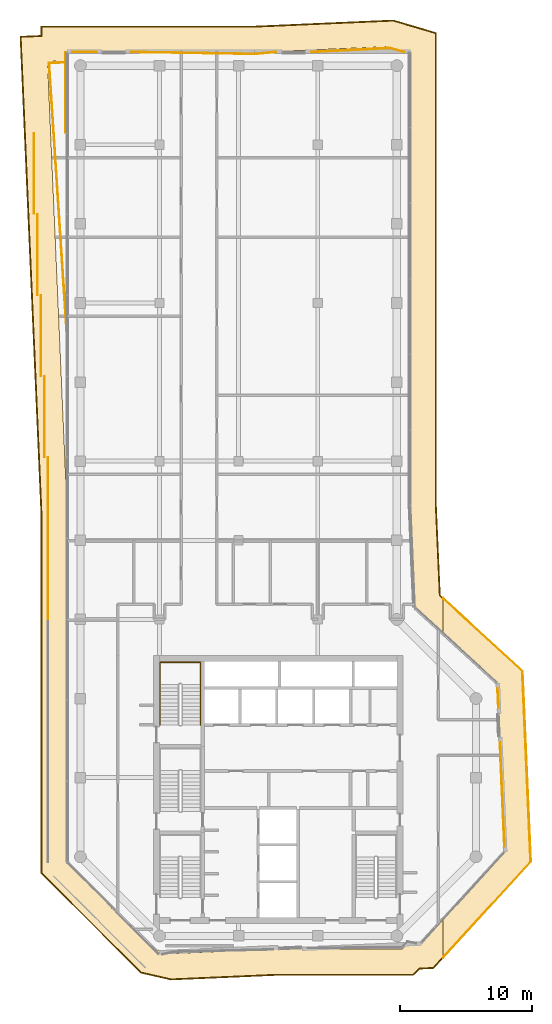
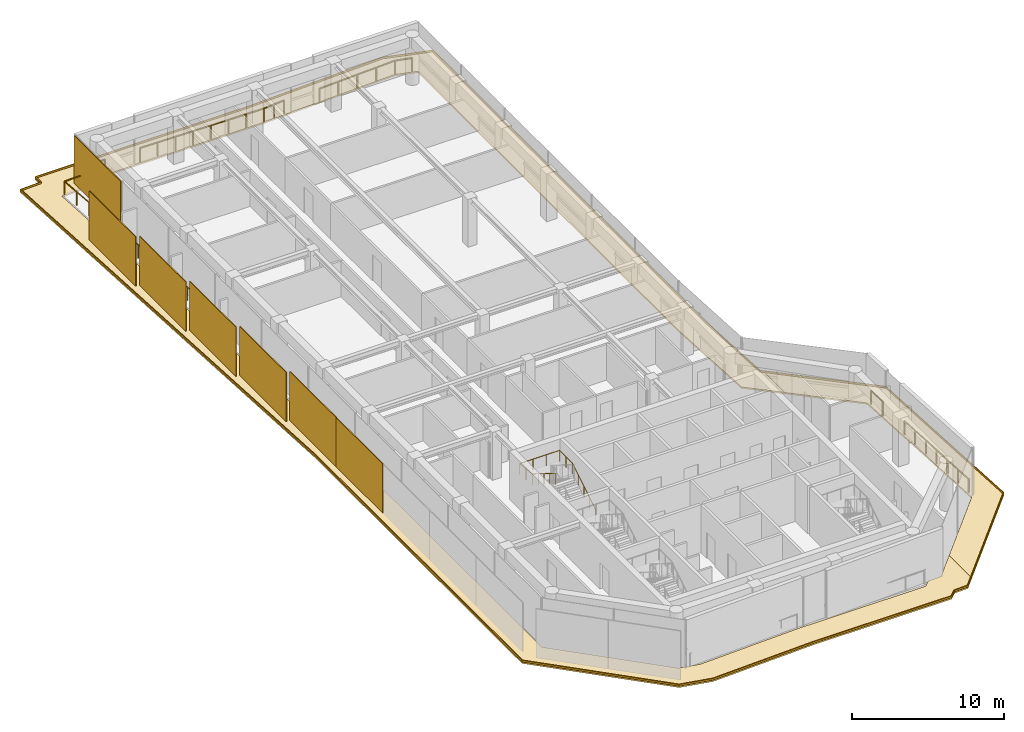
# One storey, part 21 of 21: 11 coverings, 7 railings.
"""IFC4 building model written with IfcOpenShell, lengths in metres."""

from ifc_helpers import new_model, si_unit, direction, frame, origin, origin_2d, place, context, subcontext, project, spatial, polyline, rectangle, circle, outline, extrude, material, layer, layer_set, type_object, element, save


model = new_model("IFC4")

# Units and contexts
model_context = context("Model", 3, precision=1e-05, world=origin(), true_north=direction((0.0, 1.0)))
body_context = subcontext(model_context, "Body", "Model", "MODEL_VIEW")
ifc_project = project(units=[si_unit("LENGTHUNIT", "METRE"), si_unit("AREAUNIT", "SQUARE_METRE"), si_unit("VOLUMEUNIT", "CUBIC_METRE"), si_unit("PLANEANGLEUNIT", "RADIAN"), si_unit("MASSUNIT", "GRAM", prefix="KILO")], contexts=[model_context])

# Site, building, storey
site_placement = place(None, origin())
site = spatial("IfcSite", under=ifc_project, at=site_placement, CompositionType="ELEMENT")
building_placement = place(site_placement, origin())
building = spatial("IfcBuilding", under=site, at=building_placement, Name="Welwitschia Terrace Campus", CompositionType="ELEMENT")
storey_placement = place(building_placement, frame((0.0, 0.0, 218.0)))
storey = spatial("IfcBuildingStorey", under=building, at=storey_placement, Name="L48", CompositionType="ELEMENT", Elevation=218.0)

# Coverings
ifc_material_1 = material(Name="Bronze mesh aluminium screen", Category="aluminium")
ifc_layer_1 = layer(ifc_material_1, 0.06005859375)
ifc_layer_set_1 = layer_set([ifc_layer_1], Name="Bronze mesh aluminium screen")
covering_type_1 = type_object("IfcCoveringType", Name="Bronze screen 60", PredefinedType="USERDEFINED", material=ifc_layer_set_1)
covering_1_placement = place(storey_placement, frame((-1.1201171875, 67.957275390625, 0.0), z_axis=(0.0, 0.0, 1.0), x_axis=(0.0, -1.0, 0.0)))
element("IfcCovering", 1, at=covering_1_placement, inside=storey, type_object=covering_type_1, Name="Screen L48.9.0", ObjectType="SCREEN", PredefinedType="USERDEFINED", context=body_context, shape_type="SweptSolid", body=[
    extrude(rectangle(XDim=6.125732421875, YDim=0.06005859375, at=origin_2d()), origin(), (0.0, 0.0, 1.0), 3.85009765625),
])
for number, where, z_axis, x_axis, name in (
    (2, (-3.523193359375, 61.8115234375, 0.0), (0.0, 0.0, 1.0), (0.0, -1.0, 0.0), "Screen L48.9.1"),
    (3, (-3.255126953125, 55.665771484375, 0.0), (0.0, 0.0, 1.0), (0.0, -1.0, 0.0), "Screen L48.9.2"),
    (4, (-2.987060546875, 49.520263671875, 0.0), (0.0, 0.0, 1.0), (0.0, -1.0, 0.0), "Screen L48.9.3"),
    (5, (-2.718994140625, 43.37451171875, 0.0), (0.0, 0.0, 1.0), (0.0, -1.0, 0.0), "Screen L48.9.4"),
    (6, (-2.450927734375, 37.228759765625, 0.0), (0.0, 0.0, 1.0), (0.0, -1.0, 0.0), "Screen L48.9.5"),
    (7, (-2.4599609375, 31.083251953125, 0.0), (0.0, 0.0, 1.0), (0.0, -1.0, 0.0), "Screen L48.9.6"),
):
    element("IfcCovering", number, at=place(storey_placement, frame(where, z_axis=z_axis, x_axis=x_axis)), inside=storey, type_object=covering_type_1, Name=name, ObjectType="SCREEN", PredefinedType="USERDEFINED", context=body_context, shape_type="SweptSolid", body=[
        extrude(rectangle(XDim=6.125732421875, YDim=0.06005859375, at=origin_2d()), origin(), (0.0, 0.0, 1.0), 3.949951171875),
    ])

# Railings
ifc_material_2 = material(Name="Stainless steel grade 316", Category="steel")
railing_type_1 = type_object("IfcRailingType", Name="Guard 1100", PredefinedType="GUARDRAIL", material=ifc_material_2)
railing_1_placement = place(storey_placement, frame((-1.030029296875, 49.806396484375, 0.0)))
element("IfcRailing", 8, at=railing_1_placement, inside=storey, type_object=railing_type_1, Name="Guard floor edge L48.0", PredefinedType="GUARDRAIL", context=body_context, shape_type="SweptSolid", body=[
    extrude(circle(Radius=0.02392578125, at=origin_2d()), frame((0.0, 0.0, 1.076171875), z_axis=(-0.065584171401, 0.997847040614, 0.0), x_axis=(-0.997847040614, -0.065584171401, 0.0)), (0.0, 0.0, 1.0), 20.436767578125),
    extrude(circle(Radius=0.02392578125, at=origin_2d()), frame((-1.34033203125, 20.392822265625, 1.076171875), z_axis=(0.999575586947, 0.029131528946, 0.0), x_axis=(-0.029131528946, 0.999575586947, 0.0)), (0.0, 0.0, 1.0), 1.3408203125),
    extrude(circle(Radius=0.02099609375, at=origin_2d()), origin(), (0.0, 0.0, 1.0), 1.052001953125),
    extrude(circle(Radius=0.02099609375, at=origin_2d()), frame((-0.095703125, 1.45654296875, 0.0)), (0.0, 0.0, 1.0), 1.052001953125),
    extrude(circle(Radius=0.02099609375, at=origin_2d()), frame((-0.19140625, 2.913330078125, 0.0)), (0.0, 0.0, 1.0), 1.052001953125),
    extrude(circle(Radius=0.02099609375, at=origin_2d()), frame((-0.287109375, 4.369873046875, 0.0)), (0.0, 0.0, 1.0), 1.052001953125),
    extrude(circle(Radius=0.02099609375, at=origin_2d()), frame((-0.383056640625, 5.826416015625, 0.0)), (0.0, 0.0, 1.0), 1.052001953125),
    extrude(circle(Radius=0.02099609375, at=origin_2d()), frame((-0.478759765625, 7.283203125, 0.0)), (0.0, 0.0, 1.0), 1.052001953125),
    extrude(circle(Radius=0.02099609375, at=origin_2d()), frame((-0.574462890625, 8.73974609375, 0.0)), (0.0, 0.0, 1.0), 1.052001953125),
    extrude(circle(Radius=0.02099609375, at=origin_2d()), frame((-0.670166015625, 10.1962890625, 0.0)), (0.0, 0.0, 1.0), 1.052001953125),
    extrude(circle(Radius=0.02099609375, at=origin_2d()), frame((-0.765869140625, 11.653076171875, 0.0)), (0.0, 0.0, 1.0), 1.052001953125),
    extrude(circle(Radius=0.02099609375, at=origin_2d()), frame((-0.861572265625, 13.109619140625, 0.0)), (0.0, 0.0, 1.0), 1.052001953125),
    extrude(circle(Radius=0.02099609375, at=origin_2d()), frame((-0.957275390625, 14.56640625, 0.0)), (0.0, 0.0, 1.0), 1.052001953125),
    extrude(circle(Radius=0.02099609375, at=origin_2d()), frame((-1.05322265625, 16.02294921875, 0.0)), (0.0, 0.0, 1.0), 1.052001953125),
    extrude(circle(Radius=0.02099609375, at=origin_2d()), frame((-1.14892578125, 17.4794921875, 0.0)), (0.0, 0.0, 1.0), 1.052001953125),
    extrude(circle(Radius=0.02099609375, at=origin_2d()), frame((-1.24462890625, 18.936279296875, 0.0)), (0.0, 0.0, 1.0), 1.052001953125),
    extrude(circle(Radius=0.02099609375, at=origin_2d()), frame((-1.34033203125, 20.392822265625, 0.0)), (0.0, 0.0, 1.0), 1.052001953125),
    extrude(circle(Radius=0.02099609375, at=origin_2d()), frame((0.0, 20.431884765625, 0.0)), (0.0, 0.0, 1.0), 1.052001953125),
])
railing_2_placement = place(storey_placement, frame((-0.580078125, 71.030029296875, 0.0)))
element("IfcRailing", 9, at=railing_2_placement, inside=storey, type_object=railing_type_1, Name="Guard floor edge L48.1", PredefinedType="GUARDRAIL", context=body_context, shape_type="SweptSolid", body=[
    extrude(circle(Radius=0.02392578125, at=origin_2d()), frame((0.0, 0.0, 1.076171875), z_axis=(1.0, 0.0, 0.0), x_axis=(0.0, 1.0, 0.0)), (0.0, 0.0, 1.0), 1.7880859375),
    extrude(circle(Radius=0.02099609375, at=origin_2d()), origin(), (0.0, 0.0, 1.0), 1.052001953125),
    extrude(circle(Radius=0.02099609375, at=origin_2d()), frame((0.89404296875, 0.0, 0.0)), (0.0, 0.0, 1.0), 1.052001953125),
    extrude(circle(Radius=0.02099609375, at=origin_2d()), frame((1.7880859375, 0.0, 0.0)), (0.0, 0.0, 1.0), 1.052001953125),
])
railing_3_placement = place(storey_placement, frame((3.85546875, 71.030029296875, 0.0)))
element("IfcRailing", 10, at=railing_3_placement, inside=storey, type_object=railing_type_1, Name="Guard floor edge L48.2", PredefinedType="GUARDRAIL", context=body_context, shape_type="SweptSolid", body=[
    extrude(circle(Radius=0.02392578125, at=origin_2d()), frame((0.0, 0.0, 1.076171875), z_axis=(0.999871500344, -0.016030683092, 0.0), x_axis=(0.016030683092, 0.999871500344, 0.0)), (0.0, 0.0, 1.0), 9.3662109375),
    extrude(circle(Radius=0.02392578125, at=origin_2d()), frame((9.364990234375, -0.150146484375, 1.076171875), z_axis=(0.995720334942, 0.092417609699, 0.0), x_axis=(-0.092417609699, 0.995720334942, 0.0)), (0.0, 0.0, 1.0), 1.614013671875),
    extrude(circle(Radius=0.02099609375, at=origin_2d()), origin(), (0.0, 0.0, 1.0), 1.052001953125),
    extrude(circle(Radius=0.02099609375, at=origin_2d()), frame((1.337890625, -0.021484375, 0.0)), (0.0, 0.0, 1.0), 1.052001953125),
    extrude(circle(Radius=0.02099609375, at=origin_2d()), frame((2.67578125, -0.04296875, 0.0)), (0.0, 0.0, 1.0), 1.052001953125),
    extrude(circle(Radius=0.02099609375, at=origin_2d()), frame((4.013671875, -0.064453125, 0.0)), (0.0, 0.0, 1.0), 1.052001953125),
    extrude(circle(Radius=0.02099609375, at=origin_2d()), frame((5.351318359375, -0.085693359375, 0.0)), (0.0, 0.0, 1.0), 1.052001953125),
    extrude(circle(Radius=0.02099609375, at=origin_2d()), frame((6.689208984375, -0.107177734375, 0.0)), (0.0, 0.0, 1.0), 1.052001953125),
    extrude(circle(Radius=0.02099609375, at=origin_2d()), frame((8.027099609375, -0.128662109375, 0.0)), (0.0, 0.0, 1.0), 1.052001953125),
    extrude(circle(Radius=0.02099609375, at=origin_2d()), frame((9.364990234375, -0.150146484375, 0.0)), (0.0, 0.0, 1.0), 1.052001953125),
    extrude(circle(Radius=0.02099609375, at=origin_2d()), frame((10.16845703125, -0.07568359375, 0.0)), (0.0, 0.0, 1.0), 1.052001953125),
    extrude(circle(Radius=0.02099609375, at=origin_2d()), frame((10.97216796875, -0.0009765625, 0.0)), (0.0, 0.0, 1.0), 1.052001953125),
])
railing_4_placement = place(storey_placement, frame((17.518310546875, 71.027099609375, 0.0)))
element("IfcRailing", 11, at=railing_4_placement, inside=storey, type_object=railing_type_1, Name="Guard floor edge L48.5", PredefinedType="GUARDRAIL", context=body_context, shape_type="SweptSolid", body=[
    extrude(circle(Radius=0.02392578125, at=origin_2d()), frame((0.0, 0.0, 1.076171875), z_axis=(0.9987274719, 0.050432498171, 0.0), x_axis=(-0.050432498171, 0.9987274719, 0.0)), (0.0, 0.0, 1.0), 5.954345703125),
    extrude(circle(Radius=0.02392578125, at=origin_2d()), frame((5.94677734375, 0.30029296875, 1.076171875), z_axis=(0.964632095565, -0.263599924516, 0.0), x_axis=(0.263599924516, 0.964632095565, 0.0)), (0.0, 0.0, 1.0), 1.15576171875),
    extrude(circle(Radius=0.02099609375, at=origin_2d()), origin(), (0.0, 0.0, 1.0), 1.052001953125),
    extrude(circle(Radius=0.02099609375, at=origin_2d()), frame((1.48681640625, 0.0751953125, 0.0)), (0.0, 0.0, 1.0), 1.052001953125),
    extrude(circle(Radius=0.02099609375, at=origin_2d()), frame((2.973388671875, 0.150146484375, 0.0)), (0.0, 0.0, 1.0), 1.052001953125),
    extrude(circle(Radius=0.02099609375, at=origin_2d()), frame((4.4599609375, 0.22509765625, 0.0)), (0.0, 0.0, 1.0), 1.052001953125),
    extrude(circle(Radius=0.02099609375, at=origin_2d()), frame((5.94677734375, 0.30029296875, 0.0)), (0.0, 0.0, 1.0), 1.052001953125),
    extrude(circle(Radius=0.02099609375, at=origin_2d()), frame((7.061767578125, -0.00439453125, 0.0)), (0.0, 0.0, 1.0), 1.052001953125),
])
railing_5_placement = place(storey_placement, frame((31.64111328125, 22.760498046875, 0.0)))
element("IfcRailing", 12, at=railing_5_placement, inside=storey, type_object=railing_type_1, Name="Guard floor edge L48.6", PredefinedType="GUARDRAIL", context=body_context, shape_type="SweptSolid", body=[
    extrude(circle(Radius=0.02392578125, at=origin_2d()), frame((0.0, 0.0, 1.076171875), z_axis=(0.043639613643, -0.999047338278, 0.0), x_axis=(0.999047338278, 0.043639613643, 0.0)), (0.0, 0.0, 1.0), 1.4658203125),
    extrude(circle(Radius=0.02099609375, at=origin_2d()), origin(), (0.0, 0.0, 1.0), 1.052001953125),
    extrude(circle(Radius=0.02099609375, at=origin_2d()), frame((0.06396484375, -1.46435546875, 0.0)), (0.0, 0.0, 1.0), 1.052001953125),
])
railing_6_placement = place(storey_placement, frame((31.82080078125, 18.651123046875, 0.0)))
element("IfcRailing", 13, at=railing_6_placement, inside=storey, type_object=railing_type_1, Name="Guard floor edge L48.7", PredefinedType="GUARDRAIL", context=body_context, shape_type="SweptSolid", body=[
    extrude(circle(Radius=0.02392578125, at=origin_2d()), frame((0.0, 0.0, 1.076171875), z_axis=(0.043584886083, -0.999049727343, 0.0), x_axis=(0.999049727343, 0.043584886083, 0.0)), (0.0, 0.0, 1.0), 7.892578125),
    extrude(circle(Radius=0.02099609375, at=origin_2d()), origin(), (0.0, 0.0, 1.0), 1.052001953125),
    extrude(circle(Radius=0.02099609375, at=origin_2d()), frame((0.057373046875, -1.314208984375, 0.0)), (0.0, 0.0, 1.0), 1.052001953125),
    extrude(circle(Radius=0.02099609375, at=origin_2d()), frame((0.11474609375, -2.62841796875, 0.0)), (0.0, 0.0, 1.0), 1.052001953125),
    extrude(circle(Radius=0.02099609375, at=origin_2d()), frame((0.171875, -3.9423828125, 0.0)), (0.0, 0.0, 1.0), 1.052001953125),
    extrude(circle(Radius=0.02099609375, at=origin_2d()), frame((0.229248046875, -5.256591796875, 0.0)), (0.0, 0.0, 1.0), 1.052001953125),
    extrude(circle(Radius=0.02099609375, at=origin_2d()), frame((0.28662109375, -6.57080078125, 0.0)), (0.0, 0.0, 1.0), 1.052001953125),
    extrude(circle(Radius=0.02099609375, at=origin_2d()), frame((0.343994140625, -7.885009765625, 0.0)), (0.0, 0.0, 1.0), 1.052001953125),
])
ifc_material_3 = material(Name="Steel S355", Category="steel")
railing_type_2 = type_object("IfcRailingType", Name="Stair handrail 900", PredefinedType="HANDRAIL", material=ifc_material_3)
railing_7_placement = place(storey_placement, frame((9.10009765625, 20.0, 0.175048828125)))
element("IfcRailing", 14, at=railing_7_placement, inside=storey, type_object=railing_type_2, Name="L48 S4 stair handrail", PredefinedType="HANDRAIL", context=body_context, shape_type="SweptSolid", body=[
    extrude(circle(Radius=0.02392578125, at=origin_2d()), frame((0.0, 0.0, 0.8759765625), z_axis=(0.0, 0.847998304005, 0.529998940003), x_axis=(-1.0, 0.0, 0.0)), (0.0, 0.0, 1.0), 3.632080078125),
    extrude(circle(Radius=0.02392578125, at=origin_2d()), frame((0.0, 3.080078125, 2.80078125), z_axis=(0.0, 1.0, 0.0), x_axis=(-1.0, 0.0, 0.0)), (0.0, 0.0, 1.0), 1.669921875),
    extrude(circle(Radius=0.02392578125, at=origin_2d()), frame((0.0, 4.75, 2.80078125), z_axis=(-1.0, 0.0, 0.0), x_axis=(0.0, -1.0, 0.0)), (0.0, 0.0, 1.0), 3.050048828125),
    extrude(circle(Radius=0.02392578125, at=origin_2d()), frame((-3.050048828125, 4.75, 2.80078125), z_axis=(0.0, -0.994565838508, 0.104109523446), x_axis=(1.0, 0.0, 0.0)), (0.0, 0.0, 1.0), 1.678955078125),
    extrude(circle(Radius=0.02392578125, at=origin_2d()), frame((-3.050048828125, 3.080078125, 2.9755859375), z_axis=(0.0, -0.847998304005, 0.529998940003), x_axis=(1.0, 0.0, 0.0)), (0.0, 0.0, 1.0), 3.632080078125),
    extrude(circle(Radius=0.02099609375, at=origin_2d()), origin(), (0.0, 0.0, 1.0), 0.851806640625),
    extrude(circle(Radius=0.02099609375, at=origin_2d()), frame((0.0, 0.77001953125, 0.481201171875)), (0.0, 0.0, 1.0), 0.851806640625),
    extrude(circle(Radius=0.02099609375, at=origin_2d()), frame((0.0, 1.5400390625, 0.96240234375)), (0.0, 0.0, 1.0), 0.851806640625),
    extrude(circle(Radius=0.02099609375, at=origin_2d()), frame((0.0, 2.31005859375, 1.44384765625)), (0.0, 0.0, 1.0), 0.851806640625),
    extrude(circle(Radius=0.02099609375, at=origin_2d()), frame((0.0, 3.080078125, 1.925048828125)), (0.0, 0.0, 1.0), 0.851806640625),
    extrude(circle(Radius=0.02099609375, at=origin_2d()), frame((0.0, 3.9150390625, 1.925048828125)), (0.0, 0.0, 1.0), 0.851806640625),
    extrude(circle(Radius=0.02099609375, at=origin_2d()), frame((0.0, 4.75, 1.925048828125)), (0.0, 0.0, 1.0), 0.851806640625),
    extrude(circle(Radius=0.02099609375, at=origin_2d()), frame((-1.0166015625, 4.75, 1.925048828125)), (0.0, 0.0, 1.0), 0.851806640625),
    extrude(circle(Radius=0.02099609375, at=origin_2d()), frame((-2.033447265625, 4.75, 1.925048828125)), (0.0, 0.0, 1.0), 0.851806640625),
    extrude(circle(Radius=0.02099609375, at=origin_2d()), frame((-3.050048828125, 4.75, 1.925048828125)), (0.0, 0.0, 1.0), 0.851806640625),
    extrude(circle(Radius=0.02099609375, at=origin_2d()), frame((-3.050048828125, 3.9150390625, 2.012451171875)), (0.0, 0.0, 1.0), 0.851806640625),
    extrude(circle(Radius=0.02099609375, at=origin_2d()), frame((-3.050048828125, 3.080078125, 2.099853515625)), (0.0, 0.0, 1.0), 0.851806640625),
    extrude(circle(Radius=0.02099609375, at=origin_2d()), frame((-3.050048828125, 2.31005859375, 2.5810546875)), (0.0, 0.0, 1.0), 0.851806640625),
    extrude(circle(Radius=0.02099609375, at=origin_2d()), frame((-3.050048828125, 1.5400390625, 3.0625)), (0.0, 0.0, 1.0), 0.851806640625),
    extrude(circle(Radius=0.02099609375, at=origin_2d()), frame((-3.050048828125, 0.77001953125, 3.543701171875)), (0.0, 0.0, 1.0), 0.851806640625),
    extrude(circle(Radius=0.02099609375, at=origin_2d()), frame((-3.050048828125, 0.0, 4.02490234375)), (0.0, 0.0, 1.0), 0.851806640625),
])

# Coverings
ifc_material_4 = material(Name="Bronze anodised aluminium", Category="aluminium")
ifc_layer_2 = layer(ifc_material_4, 0.1201171875)
ifc_layer_set_2 = layer_set([ifc_layer_2], Name="Bronze anodised aluminium")
covering_type_2 = type_object("IfcCoveringType", Name="Sunshade band 2000", PredefinedType="USERDEFINED", material=ifc_layer_set_2)
covering_2_placement = place(storey_placement, frame((0.0, 0.0, -0.25)))
element("IfcCovering", 15, at=covering_2_placement, inside=storey, type_object=covering_type_2, Name="SUNSHADE L48.SW0", ObjectType="SUNSHADE", PredefinedType="USERDEFINED", context=body_context, shape_type="SweptSolid", body=[
    extrude(outline(polyline([(-3.0, 72.293701171875), (-3.0, 73.0), (13.174072265625, 73.0), (23.7255859375, 73.460693359375), (27.0, 72.49560546875), (27.0, 36.67236328125), (27.29931640625, 29.817626953125), (27.50439453125, 29.629638671875), (27.50439453125, 26.9169921875), (25.33740234375, 28.90283203125), (25.0, 36.628662109375), (25.0, 71.0), (23.479736328125, 71.447998046875), (13.2177734375, 71.0), (-1.0, 71.0), (-1.0, 70.379150390625), (-2.49560546875, 70.31396484375), (-1.0, 36.061279296875), (-1.0, 9.585693359375), (5.585693359375, 3.0), (7.050048828125, 2.666015625), (14.701416015625, 3.0), (24.414306640625, 3.0), (24.857666015625, 3.443359375), (25.860595703125, 3.4873046875), (27.50439453125, 5.28125), (27.50439453125, 2.32080078125), (26.775390625, 1.525390625), (25.721923828125, 1.479248046875), (25.24267578125, 1.0), (14.7451171875, 1.0), (6.8681640625, 0.656005859375), (4.5791015625, 1.17822265625), (-3.0, 8.75732421875), (-3.0, 36.017578125), (-4.580810546875, 72.224853515625), (-3.0, 72.293701171875)])), origin(), (0.0, 0.0, 1.0), 0.1201171875),
])
covering_3_placement = place(storey_placement, frame((0.0, 0.0, -0.25)))
element("IfcCovering", 16, at=covering_3_placement, inside=storey, type_object=covering_type_2, Name="SUNSHADE L48.SE0", ObjectType="SUNSHADE", PredefinedType="USERDEFINED", context=body_context, shape_type="SweptSolid", body=[
    extrude(outline(polyline([(33.555419921875, 24.085205078125), (34.18701171875, 9.613525390625), (27.50439453125, 2.32080078125), (27.50439453125, 5.28125), (32.15283203125, 10.35400390625), (31.59326171875, 23.170166015625), (27.50439453125, 26.9169921875), (27.50439453125, 29.629638671875), (33.555419921875, 24.085205078125)])), origin(), (0.0, 0.0, 1.0), 0.1201171875),
])
ifc_material_5 = material(Name="Bronze anodised aluminium", Category="aluminium")
ifc_layer_3 = layer(ifc_material_5, 0.06005859375)
ifc_layer_set_3 = layer_set([ifc_layer_3], Name="Bronze anodised aluminium")
covering_type_3 = type_object("IfcCoveringType", Name="Sunshade lip 60", PredefinedType="USERDEFINED", material=ifc_layer_set_3)
covering_4_placement = place(storey_placement, frame((0.0, 0.0, -0.1298828125)))
element("IfcCovering", 17, at=covering_4_placement, inside=storey, type_object=covering_type_3, Name="SUNSHADE LIP L48.SW0.0", ObjectType="SUNSHADE", PredefinedType="USERDEFINED", context=body_context, shape_type="SweptSolid", body=[
    extrude(outline(polyline([(-3.0, 73.0), (13.174072265625, 73.0), (23.7255859375, 73.460693359375), (27.0, 72.49560546875), (27.0, 36.67236328125), (27.29931640625, 29.817626953125), (27.50439453125, 29.629638671875), (27.50439453125, 29.548095703125), (27.240478515625, 29.790283203125), (26.93994140625, 36.6708984375), (26.93994140625, 72.45068359375), (23.718017578125, 73.400390625), (13.17529296875, 72.93994140625), (-2.93994140625, 72.93994140625), (-2.93994140625, 72.236328125), (-4.518310546875, 72.16748046875), (-2.93994140625, 36.01904296875), (-2.93994140625, 8.7822265625), (4.609375, 1.23291015625), (6.87353515625, 0.71630859375), (14.743896484375, 1.06005859375), (25.2177734375, 1.06005859375), (25.696044921875, 1.5380859375), (26.748046875, 1.583984375), (27.50439453125, 2.40966796875), (27.50439453125, 2.32080078125), (26.775390625, 1.525390625), (25.721923828125, 1.479248046875), (25.24267578125, 1.0), (14.7451171875, 1.0), (6.8681640625, 0.656005859375), (4.5791015625, 1.17822265625), (-3.0, 8.75732421875), (-3.0, 36.017578125), (-4.580810546875, 72.224853515625), (-3.0, 72.293701171875), (-3.0, 73.0)])), origin(), (0.0, 0.0, 1.0), 0.1298828125),
])
covering_5_placement = place(storey_placement, frame((0.0, 0.0, -0.1298828125)))
element("IfcCovering", 18, at=covering_5_placement, inside=storey, type_object=covering_type_3, Name="SUNSHADE LIP L48.SE0.0", ObjectType="SUNSHADE", PredefinedType="USERDEFINED", context=body_context, shape_type="SweptSolid", body=[
    extrude(outline(polyline([(34.18701171875, 9.613525390625), (27.50439453125, 2.32080078125), (27.50439453125, 2.40966796875), (34.126220703125, 9.6357421875), (33.496337890625, 24.0576171875), (27.50439453125, 29.548095703125), (27.50439453125, 29.629638671875), (33.555419921875, 24.085205078125), (34.18701171875, 9.613525390625)])), origin(), (0.0, 0.0, 1.0), 0.1298828125),
])

save(model, "model.ifc")
